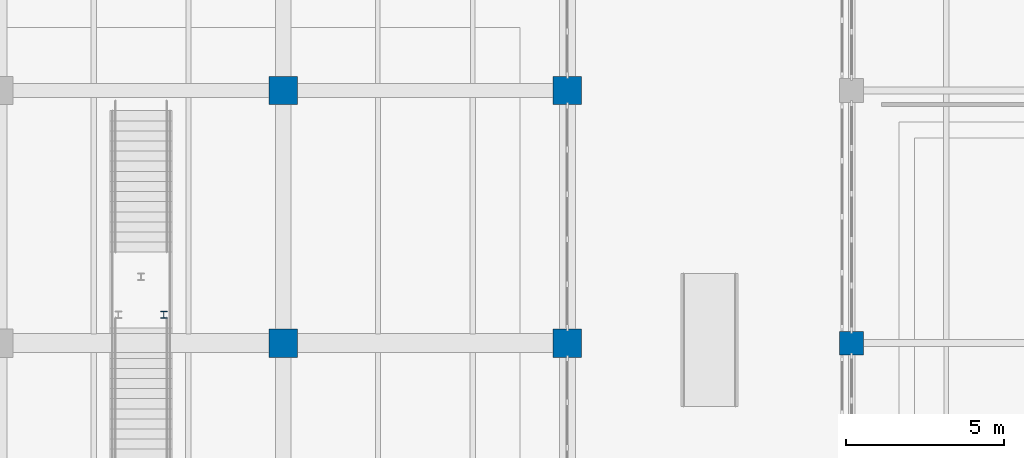
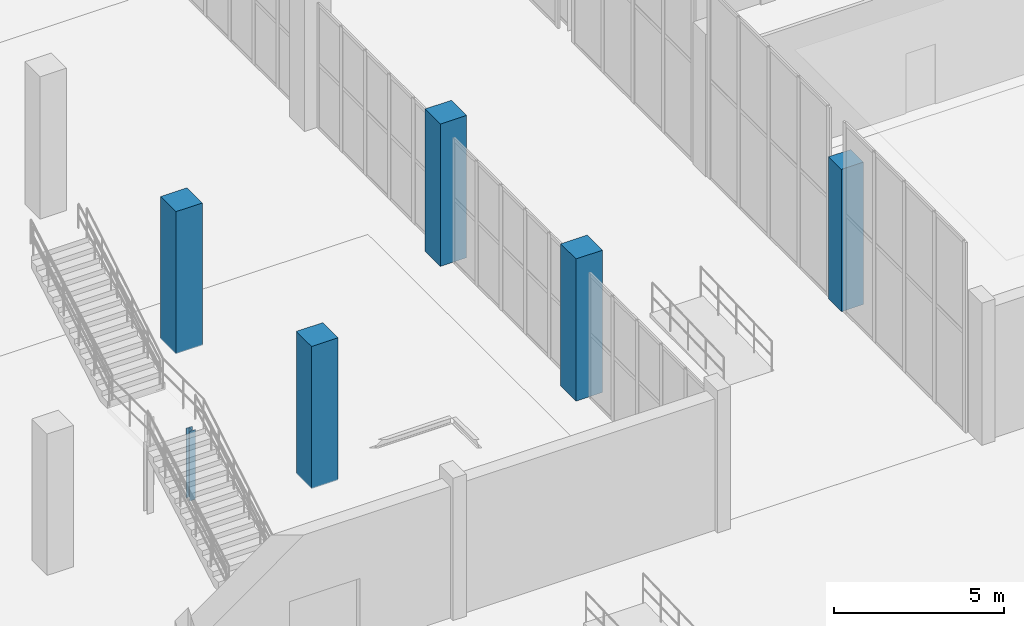
# One storey, part 12 of 103: 6 columns.
"""IFC4 building model written with IfcOpenShell, lengths in metres."""

import ifcopenshell
import ifcopenshell.guid

model = None  # the IFC model being written
_history = None  # IfcOwnerHistory: only IFC2X3 demands one
_inside = {}  # id of a spatial element -> (the spatial element, [elements in it])
_under = {}  # id of a project, library or spatial element -> (it, [spatial elements below it])
_declared = {}  # id of a project -> (the project, [libraries it declares])
_typed = {}  # id of a type object -> (the type object, [elements of that type])
_made_of = {}  # id of a material, layer set ... -> (it, [elements and type objects made of it])


def new_model(schema):
    """Start an empty IFC model of exactly this schema.

    Asked for "IFC4X3", IfcOpenShell would pick the latest addendum, in which some entities
    have other attributes; the version numbers below select the first issue.
    IFC2X3 requires an IfcOwnerHistory on every rooted entity: one is made here for all.
    """
    global model, _history
    if schema == "IFC4X3":
        model = ifcopenshell.file(schema_version=(4, 3, 0, 0))
    else:
        model = ifcopenshell.file(schema=schema)
    _inside.clear()
    _under.clear()
    _declared.clear()
    _typed.clear()
    _made_of.clear()
    _history = None
    if model.schema == "IFC2X3":
        org = make("IfcOrganization", Name="unknown")
        user = make(
            "IfcPersonAndOrganization",
            ThePerson=make("IfcPerson", FamilyName="unknown"),
            TheOrganization=org,
        )
        app = make(
            "IfcApplication",
            ApplicationDeveloper=org,
            Version="unknown",
            ApplicationFullName="unknown",
            ApplicationIdentifier="unknown",
        )
        _history = make(
            "IfcOwnerHistory",
            OwningUser=user,
            OwningApplication=app,
            ChangeAction="ADDED",
            CreationDate=0,
        )
    return model


def make(cls, **values):
    """One entity of the class cls with the attributes given. An attribute that is None is left unset."""
    return model.create_entity(
        cls, **{name: value for name, value in values.items() if value is not None}
    )


def rooted(cls, **values):
    """An entity with a GlobalId (a new one), such as an element, a storey or a relation."""
    return make(cls, GlobalId=ifcopenshell.guid.new(), OwnerHistory=_history, **values)


def si_unit(unit_type, name, prefix=None):
    """IfcSIUnit, for example si_unit("LENGTHUNIT", "METRE", prefix="MILLI")."""
    return make("IfcSIUnit", UnitType=unit_type, Prefix=prefix, Name=name)


def assignment(units):
    """IfcUnitAssignment: the units of a project."""
    return None if units is None else make("IfcUnitAssignment", Units=units)


def point(xyz):
    """IfcCartesianPoint."""
    return None if xyz is None else make("IfcCartesianPoint", Coordinates=xyz)


def direction(xyz):
    """IfcDirection."""
    return None if xyz is None else make("IfcDirection", DirectionRatios=xyz)


def frame(location, z_axis=None, x_axis=None):
    """IfcAxis2Placement3D, a coordinate frame: its origin and axes. An axis left out is left unset."""
    return make(
        "IfcAxis2Placement3D",
        Location=point(location),
        Axis=direction(z_axis),
        RefDirection=direction(x_axis),
    )


def frame_2d(location, x_axis=None):
    """IfcAxis2Placement2D, a coordinate frame in the plane: its origin and x axis."""
    return make(
        "IfcAxis2Placement2D", Location=point(location), RefDirection=direction(x_axis)
    )


def origin():
    """The frame at (0, 0, 0) with its axes left unset."""
    return frame((0.0, 0.0, 0.0))


def origin_2d():
    """The frame at (0, 0) in the plane with its x axis left unset."""
    return frame_2d((0.0, 0.0))


def place(relative_to, where):
    """IfcLocalPlacement: puts the frame where relative to a parent placement (None: the world)."""
    return make(
        "IfcLocalPlacement", PlacementRelTo=relative_to, RelativePlacement=where
    )


def context(
    kind, dimensions, precision=None, world=None, true_north=None, identifier=None
):
    """IfcGeometricRepresentationContext, for example the 3D "Model" context."""
    return make(
        "IfcGeometricRepresentationContext",
        ContextIdentifier=identifier,
        ContextType=kind,
        CoordinateSpaceDimension=dimensions,
        Precision=precision,
        WorldCoordinateSystem=world,
        TrueNorth=true_north,
    )


def subcontext(parent, identifier, kind, view, scale=None):
    """IfcGeometricRepresentationSubContext, for example "Body" below "Model"."""
    return make(
        "IfcGeometricRepresentationSubContext",
        ContextIdentifier=identifier,
        ContextType=kind,
        ParentContext=parent,
        TargetScale=scale,
        TargetView=view,
    )


def project(units=None, contexts=None):
    """IfcProject with its units and contexts."""
    return rooted(
        "IfcProject",
        Name="project",
        RepresentationContexts=contexts,
        UnitsInContext=assignment(units),
    )


def spatial(cls, under=None, at=None, **own):
    """A site, building, storey or space (cls), placed at a placement, below another one or the project."""
    s = rooted(cls, ObjectPlacement=at, **own)
    if under is not None:
        _under.setdefault(under.id(), (under, []))[1].append(s)
    return s


def profile(cls, at=None, kind="AREA", **sizes):
    """A parametric profile (cls). Its sizes go by their IFC names, for example OverallWidth=200.0."""
    return make(cls, ProfileType=kind, Position=at, **sizes)


def rectangle(**sizes):
    """IfcRectangleProfileDef."""
    return profile("IfcRectangleProfileDef", **sizes)


def i_section(**sizes):
    """IfcIShapeProfileDef."""
    return profile("IfcIShapeProfileDef", **sizes)


def extrude(swept, where, along, depth):
    """IfcExtrudedAreaSolid: the profile swept, set in the frame where, extruded along a direction by depth."""
    return make(
        "IfcExtrudedAreaSolid",
        SweptArea=swept,
        Position=where,
        ExtrudedDirection=direction(along),
        Depth=depth,
    )


def shape(context_of_items, identifier, shape_type, items):
    """IfcShapeRepresentation: the items that make up one representation, for example the "Body"."""
    return make(
        "IfcShapeRepresentation",
        ContextOfItems=context_of_items,
        RepresentationIdentifier=identifier,
        RepresentationType=shape_type,
        Items=items,
    )


def material(Name=None, Category=None):
    """IfcMaterial."""
    return make("IfcMaterial", Name=Name, Category=Category)


def material_profile(
    of_material, cross_section, Name=None, Category=None, Priority=None
):
    """IfcMaterialProfile: a cross section and its material."""
    return make(
        "IfcMaterialProfile",
        Name=Name,
        Material=of_material,
        Profile=cross_section,
        Priority=Priority,
        Category=Category,
    )


def profile_set(profiles, Name=None, composite=None):
    """IfcMaterialProfileSet."""
    return make(
        "IfcMaterialProfileSet",
        Name=Name,
        MaterialProfiles=profiles,
        CompositeProfile=composite,
    )


def made_of(thing, what):
    """Note that an element or type object is made of a material, layer set ...; save() writes the relation."""
    if what is not None:
        _made_of.setdefault(what.id(), (what, []))[1].append(thing)
    return thing


def type_object(cls, material=None, **own):
    """A type object (cls), such as IfcWallType, which elements share."""
    return made_of(rooted(cls, **own), material)


def element(
    cls,
    number,
    at=None,
    inside=None,
    cuts=None,
    type_object=None,
    material=None,
    context=None,
    identifier="Body",
    shape_type=None,
    held_by="IfcProductDefinitionShape",
    body=None,
    shapes=None,
    **own,
):
    """One element of the class cls, such as IfcWall. Its Tag is "e" and its number.

    at: its placement. inside: the storey or other place that contains it. cuts: it is an
    opening in that element (IfcRelVoidsElement). A single representation is given by context,
    identifier, shape_type and body (its items); several are given by shapes. held_by: the class
    of the entity that holds the representations. save() writes the other relations.
    """
    e = rooted(cls, Tag="e%d" % number, ObjectPlacement=at, **own)
    if body is not None:
        shapes = [shape(context, identifier, shape_type, body)]
    if shapes is not None:
        e.Representation = make(held_by, Representations=shapes)
    if inside is not None:
        _inside.setdefault(inside.id(), (inside, []))[1].append(e)
    if cuts is not None:
        rooted(
            "IfcRelVoidsElement", RelatingBuildingElement=cuts, RelatedOpeningElement=e
        )
    if type_object is not None:
        _typed.setdefault(type_object.id(), (type_object, []))[1].append(e)
    return made_of(e, material)


def aggregate(whole, parts):
    """IfcRelAggregates: a whole, such as a stair, and the parts it consists of."""
    return rooted("IfcRelAggregates", RelatingObject=whole, RelatedObjects=parts)


def save(model, path):
    """Write the relations noted so far, then the file.

    IfcRelAggregates (storeys below a building ...), IfcRelContainedInSpatialStructure (elements
    in a storey), IfcRelDefinesByType, IfcRelAssociatesMaterial and IfcRelDeclares: one each for
    every whole, place, type object, material and project.
    """
    for whole, parts in _under.values():
        aggregate(whole, parts)
    for where, things in _inside.values():
        rooted(
            "IfcRelContainedInSpatialStructure",
            RelatedElements=things,
            RelatingStructure=where,
        )
    for kind, things in _typed.values():
        rooted("IfcRelDefinesByType", RelatedObjects=things, RelatingType=kind)
    for what, things in _made_of.values():
        rooted("IfcRelAssociatesMaterial", RelatedObjects=things, RelatingMaterial=what)
    for by, libraries in _declared.values():
        rooted("IfcRelDeclares", RelatingContext=by, RelatedDefinitions=libraries)
    model.write(path)


model = new_model("IFC4")

# Units and contexts
model_context = context("Model", 3, precision=1e-05, world=origin(), true_north=direction((0.0, 1.0)))
body_context = subcontext(model_context, "Body", "Model", "MODEL_VIEW")
ifc_project = project(units=[si_unit("LENGTHUNIT", "METRE"), si_unit("AREAUNIT", "SQUARE_METRE"), si_unit("VOLUMEUNIT", "CUBIC_METRE"), si_unit("PLANEANGLEUNIT", "RADIAN"), si_unit("MASSUNIT", "GRAM", prefix="KILO")], contexts=[model_context])

# Site, building, storey
site_placement = place(None, origin())
site = spatial("IfcSite", under=ifc_project, at=site_placement, CompositionType="ELEMENT")
building_placement = place(site_placement, origin())
building = spatial("IfcBuilding", under=site, at=building_placement, Name="Marnock Terrace Opera House", CompositionType="ELEMENT")
storey_placement = place(building_placement, origin())
storey = spatial("IfcBuildingStorey", under=building, at=storey_placement, Name="L00", CompositionType="ELEMENT", Elevation=0.0)

# Columns
ifc_material_1 = material(Name="Concrete N50 (f'c = 50 MPa)", Category="concrete")
ifc_material_profile_1 = material_profile(ifc_material_1, rectangle(XDim=0.75, YDim=0.75, at=origin_2d()))
ifc_profile_set_1 = profile_set([ifc_material_profile_1], Name="Concrete N50 (f'c = 50 MPa)")
column_type_1 = type_object("IfcColumnType", Name="COL-RC750", PredefinedType="COLUMN", material=ifc_profile_set_1)
column_1_placement = place(storey_placement, frame((118.0, 16.0, 0.0), z_axis=(0.0, 0.0, 1.0), x_axis=(1.0, 0.0, 0.0)))
element("IfcColumn", 1, at=column_1_placement, inside=storey, type_object=column_type_1, Name="L00 column at (118.0, 16.0)", PredefinedType="COLUMN", context=body_context, shape_type="SweptSolid", body=[
    extrude(rectangle(XDim=0.75, YDim=0.75, at=origin_2d()), origin(), (0.0, 0.0, 1.0), 5.1201171875),
])
ifc_material_profile_2 = material_profile(ifc_material_1, rectangle(XDim=0.89990234375, YDim=0.89990234375, at=origin_2d()))
ifc_profile_set_2 = profile_set([ifc_material_profile_2], Name="Concrete N50 (f'c = 50 MPa)")
column_type_2 = type_object("IfcColumnType", Name="COL-RC900", PredefinedType="COLUMN", material=ifc_profile_set_2)
for number, where, z_axis, x_axis, name in (
    (2, (100.0, 16.0, 0.0), (0.0, 0.0, 1.0), (1.0, 0.0, 0.0), "L00 column at (100.0, 16.0)"),
    (3, (100.0, 24.0, 0.0), (0.0, 0.0, 1.0), (1.0, 0.0, 0.0), "L00 column at (100.0, 24.0)"),
    (4, (109.0, 16.0, 0.0), (0.0, 0.0, 1.0), (1.0, 0.0, 0.0), "L00 column at (109.0, 16.0)"),
    (5, (109.0, 24.0, 0.0), (0.0, 0.0, 1.0), (1.0, 0.0, 0.0), "L00 column at (109.0, 24.0)"),
):
    element("IfcColumn", number, at=place(storey_placement, frame(where, z_axis=z_axis, x_axis=x_axis)), inside=storey, type_object=column_type_2, Name=name, PredefinedType="COLUMN", context=body_context, shape_type="SweptSolid", body=[
        extrude(rectangle(XDim=0.89990234375, YDim=0.89990234375, at=origin_2d()), origin(), (0.0, 0.0, 1.0), 5.1201171875),
    ])
ifc_material_2 = material(Name="Steel Grade 350 (AS/NZS 3679.1)", Category="steel")
ifc_material_profile_3 = material_profile(ifc_material_2, i_section(OverallWidth=0.205078125, OverallDepth=0.209716796875, WebThickness=0.00927734375, FlangeThickness=0.01416015625, FilletRadius=0.011474609375, at=origin_2d()))
ifc_profile_set_3 = profile_set([ifc_material_profile_3], Name="Steel Grade 350 (AS/NZS 3679.1)")
column_type_3 = type_object("IfcColumnType", Name="COL-UC200", PredefinedType="COLUMN", material=ifc_profile_set_3)
column_2_placement = place(storey_placement, frame((96.219970703125, 16.89990234375, 0.0), z_axis=(0.0, 0.0, 1.0), x_axis=(1.0, 0.0, 0.0)))
element("IfcColumn", 6, at=column_2_placement, inside=storey, type_object=column_type_3, Name="L00 Grand Stair ST-10 landing column SE", PredefinedType="COLUMN", context=body_context, shape_type="SweptSolid", body=[
    extrude(i_section(OverallWidth=0.205078125, OverallDepth=0.209716796875, WebThickness=0.00927734375, FlangeThickness=0.01416015625, FilletRadius=0.011474609375, at=origin_2d()), origin(), (0.0, 0.0, 1.0), 2.5),
])

save(model, "model.ifc")
